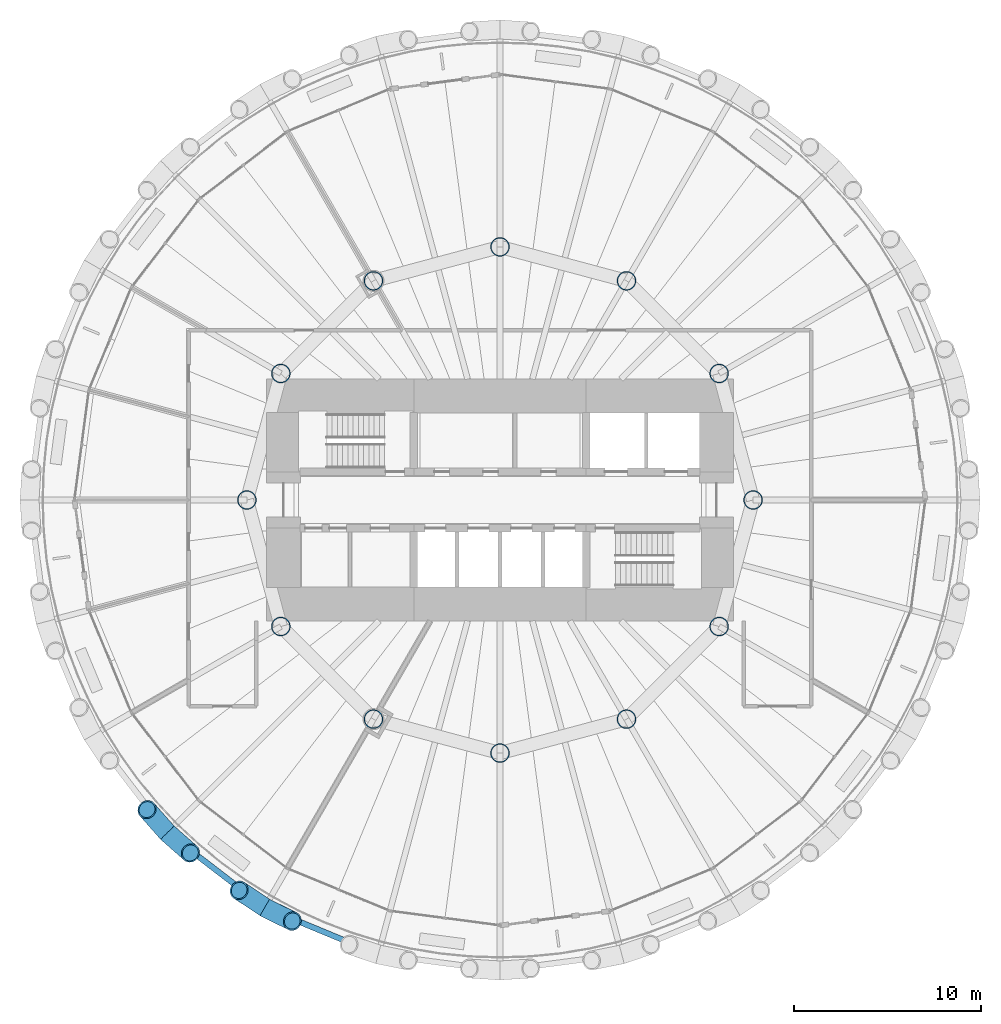
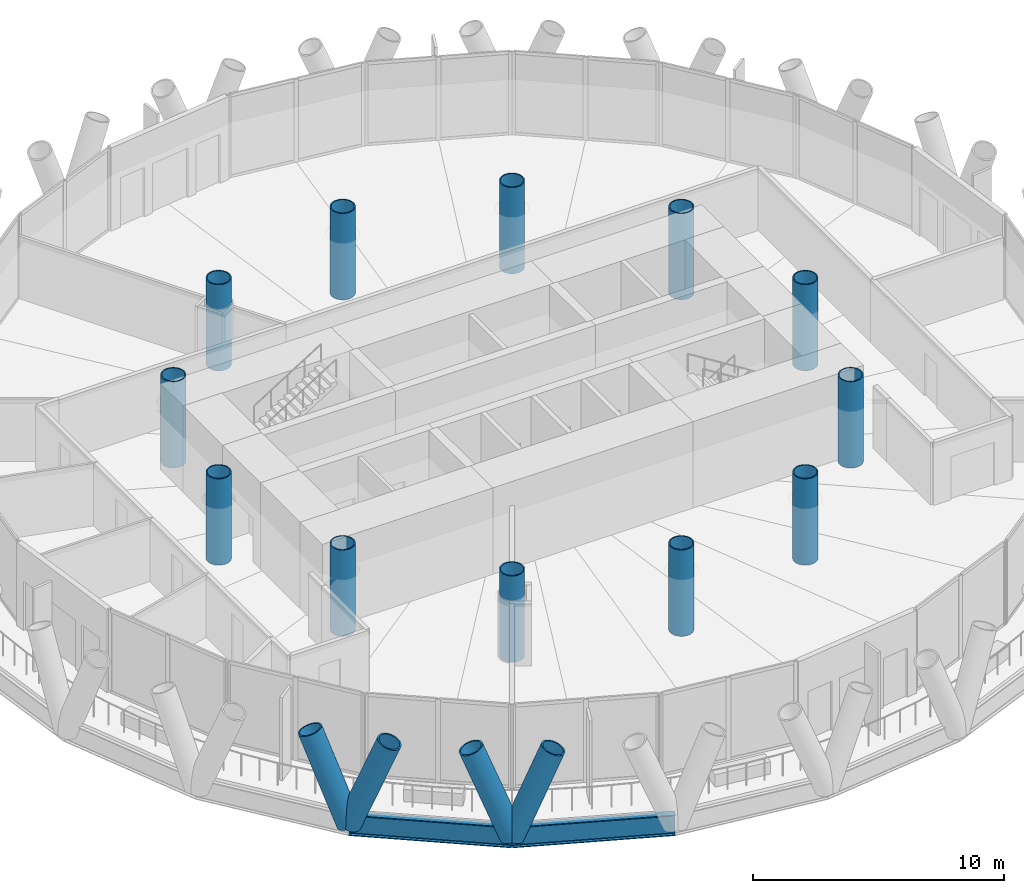
# One storey, part 1 of 14: 12 columns, 4 members, 2 beams.
"""IFC4 building model written with IfcOpenShell, lengths in metres."""

from ifc_helpers import new_model, si_unit, direction, frame, origin, origin_2d, place, context, subcontext, project, spatial, hollow_circle, i_section, extrude, material, material_profile, profile_set, type_object, element, save


model = new_model("IFC4")

# Units and contexts
model_context = context("Model", 3, precision=1e-05, world=origin(), true_north=direction((0.0, 1.0)))
body_context = subcontext(model_context, "Body", "Model", "MODEL_VIEW")
ifc_project = project(units=[si_unit("LENGTHUNIT", "METRE"), si_unit("AREAUNIT", "SQUARE_METRE"), si_unit("VOLUMEUNIT", "CUBIC_METRE"), si_unit("PLANEANGLEUNIT", "RADIAN"), si_unit("MASSUNIT", "GRAM", prefix="KILO")], contexts=[model_context])

# Site, building, storey
site_placement = place(None, origin())
site = spatial("IfcSite", under=ifc_project, at=site_placement, CompositionType="ELEMENT")
building_placement = place(site_placement, origin())
building = spatial("IfcBuilding", under=site, at=building_placement, Name="Qaws Media Tower", CompositionType="ELEMENT")
storey_placement = place(building_placement, frame((0.0, 0.0, 126.800048828125)))
storey = spatial("IfcBuildingStorey", under=building, at=storey_placement, Name="L28", CompositionType="ELEMENT", Elevation=126.800048828125)

# Columns
ifc_material_1 = material(Name="Steel S460", Category="steel")
ifc_material_profile_1 = material_profile(ifc_material_1, hollow_circle(Radius=0.508056640625, WallThickness=0.050048828125, at=origin_2d()), Name="CHS 1016x50")
ifc_profile_set_1 = profile_set([ifc_material_profile_1], Name="Steel S460")
column_type = type_object("IfcColumnType", Name="Inner column CHS 1016x50", PredefinedType="COLUMN", material=ifc_profile_set_1)
for number, where, z_axis, x_axis, name in (
    (1, (73.5, 50.0, 0.0), (0.0, 0.0, 1.0), (1.0, 0.0, 0.0), "C2 inner column I01 L28"),
    (2, (71.69140625, 56.75, 0.0), (0.0, 0.0, 1.0), (1.0, 0.0, 0.0), "C2 inner column I02 L28"),
    (3, (66.75, 61.69140625, 0.0), (0.0, 0.0, 1.0), (1.0, 0.0, 0.0), "C2 inner column I03 L28"),
    (4, (60.0, 63.5, 0.0), (0.0, 0.0, 1.0), (1.0, 0.0, 0.0), "C2 inner column I04 L28"),
    (5, (53.25, 61.69140625, 0.0), (0.0, 0.0, 1.0), (1.0, 0.0, 0.0), "C2 inner column I05 L28"),
    (6, (48.30859375, 56.75, 0.0), (0.0, 0.0, 1.0), (1.0, 0.0, 0.0), "C2 inner column I06 L28"),
    (7, (46.5, 50.0, 0.0), (0.0, 0.0, 1.0), (1.0, 0.0, 0.0), "C2 inner column I07 L28"),
    (8, (48.30859375, 43.25, 0.0), (0.0, 0.0, 1.0), (1.0, 0.0, 0.0), "C2 inner column I08 L28"),
    (9, (53.25, 38.30859375, 0.0), (0.0, 0.0, 1.0), (1.0, 0.0, 0.0), "C2 inner column I09 L28"),
    (10, (60.0, 36.5, 0.0), (0.0, 0.0, 1.0), (1.0, 0.0, 0.0), "C2 inner column I10 L28"),
    (11, (66.75, 38.30859375, 0.0), (0.0, 0.0, 1.0), (1.0, 0.0, 0.0), "C2 inner column I11 L28"),
    (12, (71.69140625, 43.25, 0.0), (0.0, 0.0, 1.0), (1.0, 0.0, 0.0), "C2 inner column I12 L28"),
):
    element("IfcColumn", number, at=place(storey_placement, frame(where, z_axis=z_axis, x_axis=x_axis)), inside=storey, type_object=column_type, Name=name, PredefinedType="COLUMN", context=body_context, shape_type="SweptSolid", body=[
        extrude(hollow_circle(Radius=0.508056640625, WallThickness=0.050048828125, at=origin_2d()), origin(), (0.0, 0.0, 1.0), 4.199951171875),
    ])

# Members
ifc_material_2 = material(Name="Steel S460", Category="steel")
ifc_material_profile_2 = material_profile(ifc_material_2, hollow_circle(Radius=0.508056640625, WallThickness=0.070068359375, at=origin_2d()), Name="CHS 1016x70")
ifc_profile_set_2 = profile_set([ifc_material_profile_2], Name="Steel S460")
member_type = type_object("IfcMemberType", Name="Diagrid member CHS 1016x70", PredefinedType="USERDEFINED", material=ifc_profile_set_2)
for number, where, z_axis, x_axis, name in (
    (13, (42.251708984375, 32.251708984375, -0.6640625), (0.273140693896, -0.240656171332, 0.931385402794), (0.661080385441, 0.750315083138, 0.0), "DG3 diagrid L28 A16"),
    (14, (42.251708984375, 32.251708984375, -0.6640625), (-0.240656171332, 0.273140693896, 0.931385402794), (-0.750315083138, -0.661080385441, 0.0), "DG3 diagrid L28 B16"),
    (15, (47.449951171875, 28.2626953125, -0.6640625), (0.326144274336, -0.161718616773, 0.931384454083), (0.444236655494, 0.895909478639, 0.0), "DG3 diagrid L28 A17"),
    (16, (47.449951171875, 28.2626953125, -0.6640625), (-0.303134967423, 0.201566616131, 0.931386112623), (-0.553704483539, -0.832713242905, 0.0), "DG3 diagrid L28 B17"),
):
    element("IfcMember", number, at=place(storey_placement, frame(where, z_axis=z_axis, x_axis=x_axis)), inside=storey, type_object=member_type, Name=name, ObjectType="DIAGRID", PredefinedType="USERDEFINED", context=body_context, shape_type="SweptSolid", body=[
        extrude(hollow_circle(Radius=0.508056640625, WallThickness=0.070068359375, at=origin_2d()), origin(), (0.0, 0.0, 1.0), 4.50927734375),
    ])

# Beams
ifc_material_3 = material(Name="Steel S460", Category="steel")
ifc_material_profile_3 = material_profile(ifc_material_3, i_section(OverallWidth=0.302001953125, OverallDepth=1.008056640625, WebThickness=0.02099609375, FlangeThickness=0.0400390625, FilletRadius=0.030029296875, at=origin_2d()), Name="HE 1000 M")
ifc_profile_set_3 = profile_set([ifc_material_profile_3], Name="Steel S460")
beam_type = type_object("IfcBeamType", Name="Edge ring beam HE 1000 M", PredefinedType="BEAM", material=ifc_profile_set_3)
for number, where, z_axis, x_axis, name in (
    (17, (42.251708984375, 32.251708984375, -0.6640625), (0.793334017296, -0.608786610398, 0.0), (0.608786610398, 0.793334017296, 0.0), "RB3 edge ring beam L28-16"),
    (18, (47.449951171875, 28.2626953125, -0.6640625), (0.923890590997, -0.382656733729, 0.0), (0.382656733729, 0.923890590997, 0.0), "RB3 edge ring beam L28-17"),
):
    element("IfcBeam", number, at=place(storey_placement, frame(where, z_axis=z_axis, x_axis=x_axis)), inside=storey, type_object=beam_type, Name=name, PredefinedType="BEAM", context=body_context, shape_type="SweptSolid", body=[
        extrude(i_section(OverallWidth=0.302001953125, OverallDepth=1.008056640625, WebThickness=0.02099609375, FlangeThickness=0.0400390625, FilletRadius=0.030029296875, at=origin_2d()), origin(), (0.0, 0.0, 1.0), 6.552490234375),
    ])

save(model, "model.ifc")
